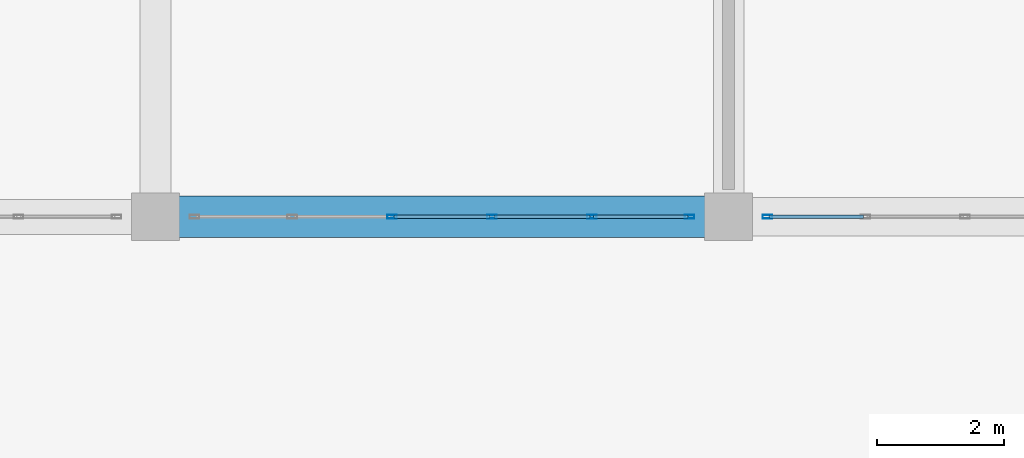
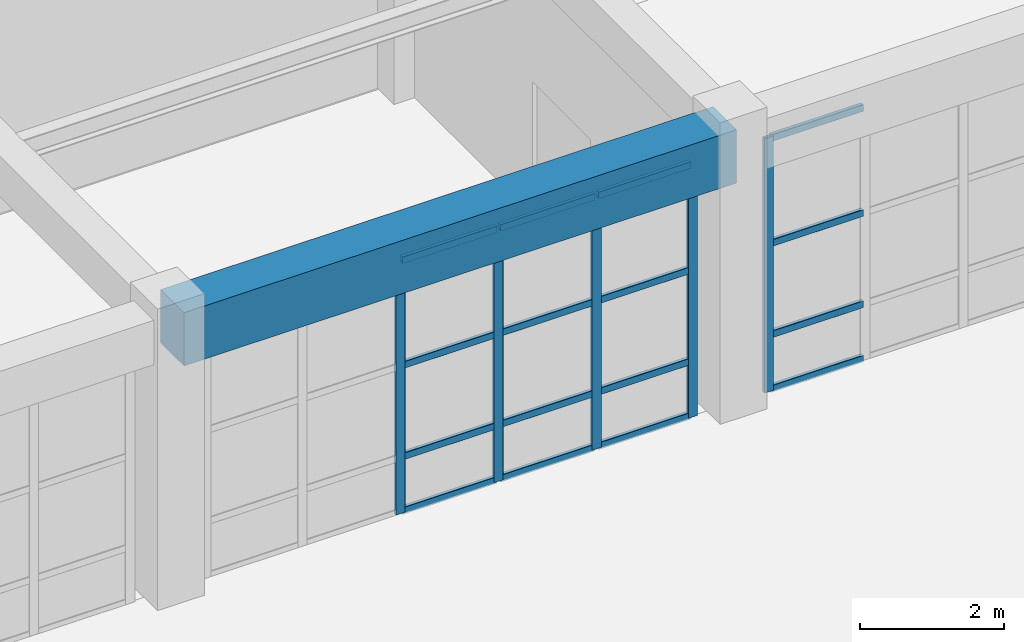
# One storey, part 36 of 128: 21 members, 1 beam, 2 elements without a shape of their own.
"""IFC4 building model written with IfcOpenShell, lengths in metres."""

from ifc_helpers import new_model, si_unit, direction, frame, origin, origin_2d, place, context, subcontext, project, spatial, rectangle, hollow_rectangle, extrude, material, material_profile, profile_set, type_object, element, aggregate, save


model = new_model("IFC4")

# Units and contexts
model_context = context("Model", 3, precision=1e-05, world=origin(), true_north=direction((0.0, 1.0)))
body_context = subcontext(model_context, "Body", "Model", "MODEL_VIEW")
ifc_project = project(units=[si_unit("LENGTHUNIT", "METRE"), si_unit("AREAUNIT", "SQUARE_METRE"), si_unit("VOLUMEUNIT", "CUBIC_METRE"), si_unit("PLANEANGLEUNIT", "RADIAN"), si_unit("MASSUNIT", "GRAM", prefix="KILO")], contexts=[model_context])

# Site, building, storey
site_placement = place(None, origin())
site = spatial("IfcSite", under=ifc_project, at=site_placement, CompositionType="ELEMENT")
building_placement = place(site_placement, origin())
building = spatial("IfcBuilding", under=site, at=building_placement, Name="Miravela Opera House", CompositionType="ELEMENT")
storey_placement = place(building_placement, origin())
storey = spatial("IfcBuildingStorey", under=building, at=storey_placement, Name="L00", CompositionType="ELEMENT", Elevation=0.0)

# Curtain wall, members
ifc_material_1 = material(Name="Anodised architectural bronze aluminium 6063-T6", Category="aluminium")
curtain_wall_type = type_object("IfcCurtainWallType", Name="ARC-CW-06", PredefinedType="NOTDEFINED", material=ifc_material_1)
curtain_wall_1_placement = place(storey_placement, origin())
curtain_wall_1 = element("IfcCurtainWall", 1, at=curtain_wall_1_placement, inside=storey, type_object=curtain_wall_type, Name="Courtyard Arcade Curtain Wall CW-L00-117", PredefinedType="NOTDEFINED")
ifc_material_profile_1 = material_profile(ifc_material_1, hollow_rectangle(XDim=0.06005859375, YDim=0.14990234375, WallThickness=0.00390625, InnerFilletRadius=0.001953125, OuterFilletRadius=0.00390625, at=origin_2d()), Name="CWM-60X150")
ifc_profile_set_1 = profile_set([ifc_material_profile_1])
member_type_1 = type_object("IfcMemberType", Name="ARC-CWM-150", PredefinedType="MULLION", material=ifc_profile_set_1)
member_1_placement = place(storey_placement, frame((48.716064453125, 28.0, 0.0), z_axis=(0.0, 0.0, 1.0), x_axis=(0.0, 1.0, 0.0)))
member_1 = element("IfcMember", 2, at=member_1_placement, type_object=member_type_1, Name="CW-06 mullion 3", PredefinedType="MULLION", context=body_context, shape_type="SweptSolid", body=[
    extrude(hollow_rectangle(XDim=0.06005859375, YDim=0.14990234375, WallThickness=0.00390625, InnerFilletRadius=0.001953125, OuterFilletRadius=0.00390625, at=origin_2d()), origin(), (0.0, 0.0, 1.0), 4.300048828125),
])
member_2_placement = place(storey_placement, frame((50.283935546875, 28.0, 0.0), z_axis=(0.0, 0.0, 1.0), x_axis=(0.0, 1.0, 0.0)))
member_2 = element("IfcMember", 3, at=member_2_placement, type_object=member_type_1, Name="CW-06 mullion 4", PredefinedType="MULLION", context=body_context, shape_type="SweptSolid", body=[
    extrude(hollow_rectangle(XDim=0.06005859375, YDim=0.14990234375, WallThickness=0.00390625, InnerFilletRadius=0.001953125, OuterFilletRadius=0.00390625, at=origin_2d()), origin(), (0.0, 0.0, 1.0), 4.300048828125),
])
member_3_placement = place(storey_placement, frame((51.85205078125, 28.0, 0.0), z_axis=(0.0, 0.0, 1.0), x_axis=(0.0, 1.0, 0.0)))
member_3 = element("IfcMember", 4, at=member_3_placement, type_object=member_type_1, Name="CW-06 mullion 5", PredefinedType="MULLION", context=body_context, shape_type="SweptSolid", body=[
    extrude(hollow_rectangle(XDim=0.06005859375, YDim=0.14990234375, WallThickness=0.00390625, InnerFilletRadius=0.001953125, OuterFilletRadius=0.00390625, at=origin_2d()), origin(), (0.0, 0.0, 1.0), 4.300048828125),
])
member_4_placement = place(storey_placement, frame((53.389892578125, 28.0, 0.0), z_axis=(0.0, 0.0, 1.0), x_axis=(0.0, 1.0, 0.0)))
member_4 = element("IfcMember", 5, at=member_4_placement, type_object=member_type_1, Name="CW-06 mullion 6", PredefinedType="MULLION", context=body_context, shape_type="SweptSolid", body=[
    extrude(hollow_rectangle(XDim=0.06005859375, YDim=0.14990234375, WallThickness=0.00390625, InnerFilletRadius=0.001953125, OuterFilletRadius=0.00390625, at=origin_2d()), origin(), (0.0, 0.0, 1.0), 4.300048828125),
])

# Curtain wall, member
curtain_wall_2_placement = place(storey_placement, origin())
curtain_wall_2 = element("IfcCurtainWall", 6, at=curtain_wall_2_placement, inside=storey, type_object=curtain_wall_type, Name="Courtyard Arcade Curtain Wall CW-L00-119", PredefinedType="NOTDEFINED")
member_5_placement = place(storey_placement, frame((54.610107421875, 28.0, 0.0), z_axis=(0.0, 0.0, 1.0), x_axis=(0.0, 1.0, 0.0)))
member_5 = element("IfcMember", 7, at=member_5_placement, type_object=member_type_1, Name="CW-06 mullion 1", PredefinedType="MULLION", context=body_context, shape_type="SweptSolid", body=[
    extrude(hollow_rectangle(XDim=0.06005859375, YDim=0.14990234375, WallThickness=0.00390625, InnerFilletRadius=0.001953125, OuterFilletRadius=0.00390625, at=origin_2d()), origin(), (0.0, 0.0, 1.0), 4.300048828125),
])

# Member
ifc_material_profile_2 = material_profile(ifc_material_1, hollow_rectangle(XDim=0.06005859375, YDim=0.114990234375, WallThickness=0.00390625, InnerFilletRadius=0.001953125, OuterFilletRadius=0.00390625, at=origin_2d()), Name="CWT-60X115")
ifc_profile_set_2 = profile_set([ifc_material_profile_2])
member_type_2 = type_object("IfcMemberType", Name="ARC-CWT-115", PredefinedType="USERDEFINED", material=ifc_profile_set_2)
member_6_placement = place(storey_placement, frame((48.74609375, 28.0, 0.030029296875), z_axis=(1.0, 0.0, 0.0), x_axis=(0.0, 1.0, 0.0)))
member_6 = element("IfcMember", 8, at=member_6_placement, type_object=member_type_2, Name="CW-06 transom 3.1", ObjectType="TRANSOM", PredefinedType="USERDEFINED", context=body_context, shape_type="SweptSolid", body=[
    extrude(hollow_rectangle(XDim=0.06005859375, YDim=0.114990234375, WallThickness=0.00390625, InnerFilletRadius=0.001953125, OuterFilletRadius=0.00390625, at=origin_2d()), origin(), (0.0, 0.0, 1.0), 1.5078125),
])

member_7_placement = place(storey_placement, frame((48.74609375, 28.0, 0.949951171875), z_axis=(1.0, 0.0, 0.0), x_axis=(0.0, 1.0, 0.0)))
member_7 = element("IfcMember", 9, at=member_7_placement, type_object=member_type_2, Name="CW-06 transom 3.2", ObjectType="TRANSOM", PredefinedType="USERDEFINED", context=body_context, shape_type="SweptSolid", body=[
    extrude(hollow_rectangle(XDim=0.06005859375, YDim=0.114990234375, WallThickness=0.00390625, InnerFilletRadius=0.001953125, OuterFilletRadius=0.00390625, at=origin_2d()), origin(), (0.0, 0.0, 1.0), 1.5078125),
])

member_8_placement = place(storey_placement, frame((48.74609375, 28.0, 2.493896484375), z_axis=(1.0, 0.0, 0.0), x_axis=(0.0, 1.0, 0.0)))
member_8 = element("IfcMember", 10, at=member_8_placement, type_object=member_type_2, Name="CW-06 transom 3.3", ObjectType="TRANSOM", PredefinedType="USERDEFINED", context=body_context, shape_type="SweptSolid", body=[
    extrude(hollow_rectangle(XDim=0.06005859375, YDim=0.114990234375, WallThickness=0.00390625, InnerFilletRadius=0.001953125, OuterFilletRadius=0.00390625, at=origin_2d()), origin(), (0.0, 0.0, 1.0), 1.5078125),
])

member_9_placement = place(storey_placement, frame((48.74609375, 28.0, 4.27001953125), z_axis=(1.0, 0.0, 0.0), x_axis=(0.0, 1.0, 0.0)))
member_9 = element("IfcMember", 11, at=member_9_placement, type_object=member_type_2, Name="CW-06 transom 3.4", ObjectType="TRANSOM", PredefinedType="USERDEFINED", context=body_context, shape_type="SweptSolid", body=[
    extrude(hollow_rectangle(XDim=0.06005859375, YDim=0.114990234375, WallThickness=0.00390625, InnerFilletRadius=0.001953125, OuterFilletRadius=0.00390625, at=origin_2d()), origin(), (0.0, 0.0, 1.0), 1.5078125),
])

member_10_placement = place(storey_placement, frame((50.31396484375, 28.0, 0.030029296875), z_axis=(1.0, 0.0, 0.0), x_axis=(0.0, 1.0, 0.0)))
member_10 = element("IfcMember", 12, at=member_10_placement, type_object=member_type_2, Name="CW-06 transom 4.1", ObjectType="TRANSOM", PredefinedType="USERDEFINED", context=body_context, shape_type="SweptSolid", body=[
    extrude(hollow_rectangle(XDim=0.06005859375, YDim=0.114990234375, WallThickness=0.00390625, InnerFilletRadius=0.001953125, OuterFilletRadius=0.00390625, at=origin_2d()), origin(), (0.0, 0.0, 1.0), 1.508056640625),
])

member_11_placement = place(storey_placement, frame((50.31396484375, 28.0, 0.949951171875), z_axis=(1.0, 0.0, 0.0), x_axis=(0.0, 1.0, 0.0)))
member_11 = element("IfcMember", 13, at=member_11_placement, type_object=member_type_2, Name="CW-06 transom 4.2", ObjectType="TRANSOM", PredefinedType="USERDEFINED", context=body_context, shape_type="SweptSolid", body=[
    extrude(hollow_rectangle(XDim=0.06005859375, YDim=0.114990234375, WallThickness=0.00390625, InnerFilletRadius=0.001953125, OuterFilletRadius=0.00390625, at=origin_2d()), origin(), (0.0, 0.0, 1.0), 1.508056640625),
])

member_12_placement = place(storey_placement, frame((50.31396484375, 28.0, 2.493896484375), z_axis=(1.0, 0.0, 0.0), x_axis=(0.0, 1.0, 0.0)))
member_12 = element("IfcMember", 14, at=member_12_placement, type_object=member_type_2, Name="CW-06 transom 4.3", ObjectType="TRANSOM", PredefinedType="USERDEFINED", context=body_context, shape_type="SweptSolid", body=[
    extrude(hollow_rectangle(XDim=0.06005859375, YDim=0.114990234375, WallThickness=0.00390625, InnerFilletRadius=0.001953125, OuterFilletRadius=0.00390625, at=origin_2d()), origin(), (0.0, 0.0, 1.0), 1.508056640625),
])

member_13_placement = place(storey_placement, frame((50.31396484375, 28.0, 4.27001953125), z_axis=(1.0, 0.0, 0.0), x_axis=(0.0, 1.0, 0.0)))
member_13 = element("IfcMember", 15, at=member_13_placement, type_object=member_type_2, Name="CW-06 transom 4.4", ObjectType="TRANSOM", PredefinedType="USERDEFINED", context=body_context, shape_type="SweptSolid", body=[
    extrude(hollow_rectangle(XDim=0.06005859375, YDim=0.114990234375, WallThickness=0.00390625, InnerFilletRadius=0.001953125, OuterFilletRadius=0.00390625, at=origin_2d()), origin(), (0.0, 0.0, 1.0), 1.508056640625),
])

member_14_placement = place(storey_placement, frame((51.882080078125, 28.0, 0.030029296875), z_axis=(1.0, 0.0, 0.0), x_axis=(0.0, 1.0, 0.0)))
member_14 = element("IfcMember", 16, at=member_14_placement, type_object=member_type_2, Name="CW-06 transom 5.1", ObjectType="TRANSOM", PredefinedType="USERDEFINED", context=body_context, shape_type="SweptSolid", body=[
    extrude(hollow_rectangle(XDim=0.06005859375, YDim=0.114990234375, WallThickness=0.00390625, InnerFilletRadius=0.001953125, OuterFilletRadius=0.00390625, at=origin_2d()), origin(), (0.0, 0.0, 1.0), 1.47802734375),
])

member_15_placement = place(storey_placement, frame((51.882080078125, 28.0, 0.949951171875), z_axis=(1.0, 0.0, 0.0), x_axis=(0.0, 1.0, 0.0)))
member_15 = element("IfcMember", 17, at=member_15_placement, type_object=member_type_2, Name="CW-06 transom 5.2", ObjectType="TRANSOM", PredefinedType="USERDEFINED", context=body_context, shape_type="SweptSolid", body=[
    extrude(hollow_rectangle(XDim=0.06005859375, YDim=0.114990234375, WallThickness=0.00390625, InnerFilletRadius=0.001953125, OuterFilletRadius=0.00390625, at=origin_2d()), origin(), (0.0, 0.0, 1.0), 1.47802734375),
])

member_16_placement = place(storey_placement, frame((51.882080078125, 28.0, 2.493896484375), z_axis=(1.0, 0.0, 0.0), x_axis=(0.0, 1.0, 0.0)))
member_16 = element("IfcMember", 18, at=member_16_placement, type_object=member_type_2, Name="CW-06 transom 5.3", ObjectType="TRANSOM", PredefinedType="USERDEFINED", context=body_context, shape_type="SweptSolid", body=[
    extrude(hollow_rectangle(XDim=0.06005859375, YDim=0.114990234375, WallThickness=0.00390625, InnerFilletRadius=0.001953125, OuterFilletRadius=0.00390625, at=origin_2d()), origin(), (0.0, 0.0, 1.0), 1.47802734375),
])

member_17_placement = place(storey_placement, frame((51.882080078125, 28.0, 4.27001953125), z_axis=(1.0, 0.0, 0.0), x_axis=(0.0, 1.0, 0.0)))
member_17 = element("IfcMember", 19, at=member_17_placement, type_object=member_type_2, Name="CW-06 transom 5.4", ObjectType="TRANSOM", PredefinedType="USERDEFINED", context=body_context, shape_type="SweptSolid", body=[
    extrude(hollow_rectangle(XDim=0.06005859375, YDim=0.114990234375, WallThickness=0.00390625, InnerFilletRadius=0.001953125, OuterFilletRadius=0.00390625, at=origin_2d()), origin(), (0.0, 0.0, 1.0), 1.47802734375),
])

aggregate(curtain_wall_1, [member_1, member_2, member_3, member_4, member_6, member_7, member_8, member_9, member_10, member_11, member_12, member_13, member_14, member_15, member_16, member_17])

member_18_placement = place(storey_placement, frame((54.639892578125, 28.0, 0.030029296875), z_axis=(1.0, 0.0, 0.0), x_axis=(0.0, 1.0, 0.0)))
member_18 = element("IfcMember", 20, at=member_18_placement, type_object=member_type_2, Name="CW-06 transom 1.1", ObjectType="TRANSOM", PredefinedType="USERDEFINED", context=body_context, shape_type="SweptSolid", body=[
    extrude(hollow_rectangle(XDim=0.06005859375, YDim=0.114990234375, WallThickness=0.00390625, InnerFilletRadius=0.001953125, OuterFilletRadius=0.00390625, at=origin_2d()), origin(), (0.0, 0.0, 1.0), 1.47802734375),
])

member_19_placement = place(storey_placement, frame((54.639892578125, 28.0, 0.949951171875), z_axis=(1.0, 0.0, 0.0), x_axis=(0.0, 1.0, 0.0)))
member_19 = element("IfcMember", 21, at=member_19_placement, type_object=member_type_2, Name="CW-06 transom 1.2", ObjectType="TRANSOM", PredefinedType="USERDEFINED", context=body_context, shape_type="SweptSolid", body=[
    extrude(hollow_rectangle(XDim=0.06005859375, YDim=0.114990234375, WallThickness=0.00390625, InnerFilletRadius=0.001953125, OuterFilletRadius=0.00390625, at=origin_2d()), origin(), (0.0, 0.0, 1.0), 1.47802734375),
])

member_20_placement = place(storey_placement, frame((54.639892578125, 28.0, 2.493896484375), z_axis=(1.0, 0.0, 0.0), x_axis=(0.0, 1.0, 0.0)))
member_20 = element("IfcMember", 22, at=member_20_placement, type_object=member_type_2, Name="CW-06 transom 1.3", ObjectType="TRANSOM", PredefinedType="USERDEFINED", context=body_context, shape_type="SweptSolid", body=[
    extrude(hollow_rectangle(XDim=0.06005859375, YDim=0.114990234375, WallThickness=0.00390625, InnerFilletRadius=0.001953125, OuterFilletRadius=0.00390625, at=origin_2d()), origin(), (0.0, 0.0, 1.0), 1.47802734375),
])

member_21_placement = place(storey_placement, frame((54.639892578125, 28.0, 4.27001953125), z_axis=(1.0, 0.0, 0.0), x_axis=(0.0, 1.0, 0.0)))
member_21 = element("IfcMember", 23, at=member_21_placement, type_object=member_type_2, Name="CW-06 transom 1.4", ObjectType="TRANSOM", PredefinedType="USERDEFINED", context=body_context, shape_type="SweptSolid", body=[
    extrude(hollow_rectangle(XDim=0.06005859375, YDim=0.114990234375, WallThickness=0.00390625, InnerFilletRadius=0.001953125, OuterFilletRadius=0.00390625, at=origin_2d()), origin(), (0.0, 0.0, 1.0), 1.47802734375),
])

aggregate(curtain_wall_2, [member_5, member_18, member_19, member_20, member_21])

# Beam
ifc_material_2 = material(Name="Concrete C40/50", Category="concrete")
ifc_material_profile_3 = material_profile(ifc_material_2, rectangle(XDim=0.64990234375, YDim=0.89990234375, at=origin_2d()), Name="RC-BM-650X900")
ifc_profile_set_3 = profile_set([ifc_material_profile_3])
beam_type = type_object("IfcBeamType", Name="STR-BM-RC650X900", PredefinedType="BEAM", material=ifc_profile_set_3)
beam_placement = place(storey_placement, frame((45.080078125, 28.0, 4.39990234375), z_axis=(1.0, 0.0, 0.0), x_axis=(0.0, 1.0, 0.0)))
element("IfcBeam", 24, at=beam_placement, inside=storey, type_object=beam_type, Name="Floor Girder L00 6-7/D", PredefinedType="BEAM", context=body_context, shape_type="SweptSolid", body=[
    extrude(rectangle(XDim=0.64990234375, YDim=0.89990234375, at=origin_2d()), origin(), (0.0, 0.0, 1.0), 8.83984375),
])

save(model, "model.ifc")
